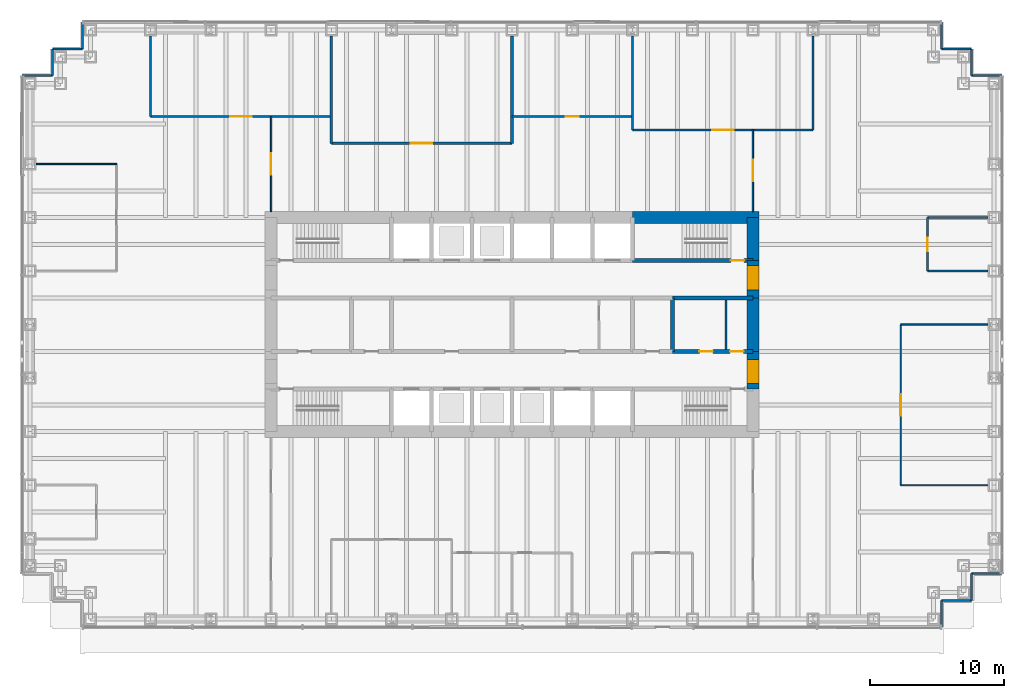
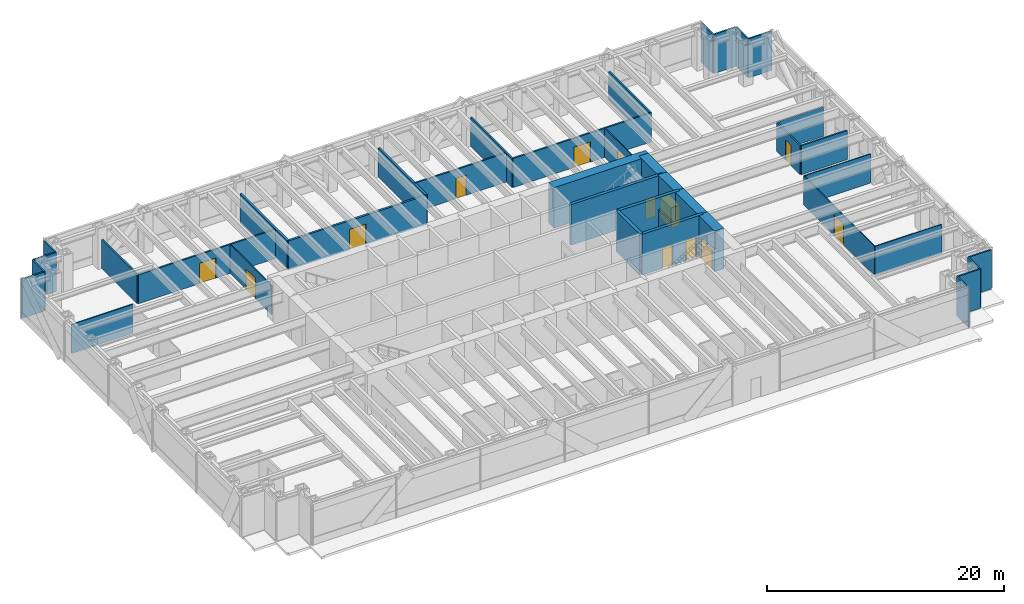
# One storey, part 11 of 14: 40 walls, 13 doors, 13 openings.
"""IFC4 building model written with IfcOpenShell, lengths in metres."""

from ifc_helpers import new_model, si_unit, direction, frame, frame_2d, origin, place, context, subcontext, project, spatial, rectangle, extrude, material, layer, layer_set, type_object, element, fill, save


model = new_model("IFC4")

# Units and contexts
model_context = context("Model", 3, precision=1e-05, world=origin(), true_north=direction((0.0, 1.0)))
body_context = subcontext(model_context, "Body", "Model", "MODEL_VIEW")
ifc_project = project(units=[si_unit("LENGTHUNIT", "METRE"), si_unit("AREAUNIT", "SQUARE_METRE"), si_unit("VOLUMEUNIT", "CUBIC_METRE"), si_unit("PLANEANGLEUNIT", "RADIAN"), si_unit("MASSUNIT", "GRAM", prefix="KILO")], contexts=[model_context])

# Site, building, storey
site_placement = place(None, origin())
site = spatial("IfcSite", under=ifc_project, at=site_placement, CompositionType="ELEMENT")
building_placement = place(site_placement, origin())
building = spatial("IfcBuilding", under=site, at=building_placement, Name="Rheinbord Bourse Tower", CompositionType="ELEMENT")
storey_placement = place(building_placement, frame((0.0, 0.0, 100.5)))
storey = spatial("IfcBuildingStorey", under=building, at=storey_placement, Name="L21", CompositionType="ELEMENT", Elevation=100.5)

# Wall, opening, door
ifc_material_1 = material(Name="Acoustic gypsum board partition", Category="gypsum board")
ifc_layer_1 = layer(ifc_material_1, 0.199951171875)
ifc_layer_set_1 = layer_set([ifc_layer_1], Name="ACOUSTIC PARTITION 200")
wall_type_1 = type_object("IfcWallType", Name="ACOUSTIC PARTITION 200", PredefinedType="PARTITIONING", material=ifc_layer_set_1)
wall_1_placement = place(storey_placement, frame((22.5, 37.550048828125, 0.0), z_axis=(0.0, 0.0, 1.0), x_axis=(1.0, 0.0, 0.0)))
wall_1 = element("IfcWall", 1, at=wall_1_placement, inside=storey, type_object=wall_type_1, Name="Partition L21-13", PredefinedType="PARTITIONING", context=body_context, shape_type="SweptSolid", body=[
    extrude(rectangle(XDim=13.5, YDim=0.199951171875, at=frame_2d((6.75, 0.0))), origin(), (0.0, 0.0, 1.0), 3.0),
])
opening_1_placement = place(wall_1_placement, frame((5.949951171875, 0.0, 0.0)))
opening_1 = element("IfcOpeningElement", 2, at=opening_1_placement, cuts=wall_1, Name="Opening 21D09", PredefinedType="OPENING", context=body_context, shape_type="SweptSolid", body=[
    extrude(rectangle(XDim=1.60009765625, YDim=2.10009765625, at=frame_2d((0.800048828125, 1.050048828125))), frame((0.0, 0.10986328125, 0.0), z_axis=(0.0, -1.0, 0.0), x_axis=(1.0, 0.0, 0.0)), (0.0, 0.0, 1.0), 0.219970703125),
])
ifc_material_2 = material(Name="Timber door", Category="wood")
door_type_1 = type_object("IfcDoorType", Name="DOUBLE ROOM DOOR 1600", OperationType="DOUBLE_DOOR_DOUBLE_SWING", PredefinedType="DOOR", material=ifc_material_2)
door_1_placement = place(opening_1_placement, origin())
door_1 = element("IfcDoor", 3, at=door_1_placement, inside=storey, type_object=door_type_1, Name="Staff restaurant door L21", OperationType="SINGLE_SWING_LEFT", OverallHeight=2.10009765625, OverallWidth=1.60009765625, PredefinedType="DOOR", context=body_context, shape_type="SweptSolid", body=[
    extrude(rectangle(XDim=1.60009765625, YDim=2.10009765625, at=frame_2d((0.800048828125, 1.050048828125))), frame((0.0, 0.02490234375, 0.0), z_axis=(0.0, -1.0, 0.0), x_axis=(1.0, 0.0, 0.0)), (0.0, 0.0, 1.0), 0.050048828125),
])
fill(opening_1, door_1)

# Walls
for number, where, z_axis, x_axis, name in (
    (4, (22.5, 37.550048828125, 0.0), (0.0, 0.0, 1.0), (0.0, 1.0, 0.0), "Partition L21-23"),
    (5, (36.0, 37.550048828125, 0.0), (0.0, 0.0, 1.0), (0.0, 1.0, 0.0), "Partition L21-26"),
):
    element("IfcWall", number, at=place(storey_placement, frame(where, z_axis=z_axis, x_axis=x_axis)), inside=storey, type_object=wall_type_1, Name=name, PredefinedType="PARTITIONING", context=body_context, shape_type="SweptSolid", body=[
        extrude(rectangle(XDim=8.0, YDim=0.199951171875, at=frame_2d((4.0, 0.0))), origin(), (0.0, 0.0, 1.0), 3.0),
    ])

# Wall, opening, door
ifc_material_3 = material(Name="Concrete C50/60", Category="concrete")
ifc_layer_2 = layer(ifc_material_3, 0.300048828125)
ifc_layer_set_2 = layer_set([ifc_layer_2], Name="CORE INNER WALL 300")
wall_type_2 = type_object("IfcWallType", Name="CORE INNER WALL 300", PredefinedType="SOLIDWALL", material=ifc_layer_set_2)
wall_2_placement = place(storey_placement, frame((45.0, 28.800048828125, 0.0), z_axis=(0.0, 0.0, 1.0), x_axis=(1.0, 0.0, 0.0)))
wall_2 = element("IfcWall", 6, at=wall_2_placement, inside=storey, type_object=wall_type_2, Name="Core wall B8 L21", PredefinedType="SOLIDWALL", context=body_context, shape_type="SweptSolid", body=[
    extrude(rectangle(XDim=9.0, YDim=0.300048828125, at=frame_2d((4.5, 0.0))), origin(), (0.0, 0.0, 1.0), 4.199951171875),
])
opening_2_placement = place(wall_2_placement, frame((7.35009765625, 0.0, 0.0)))
opening_2 = element("IfcOpeningElement", 7, at=opening_2_placement, cuts=wall_2, Name="Opening 2140", PredefinedType="OPENING", context=body_context, shape_type="SweptSolid", body=[
    extrude(rectangle(XDim=1.0, YDim=2.10009765625, at=frame_2d((0.5, 1.050048828125))), frame((0.0, 0.159912109375, 0.0), z_axis=(0.0, -1.0, 0.0), x_axis=(1.0, 0.0, 0.0)), (0.0, 0.0, 1.0), 0.320068359375),
])
ifc_material_4 = material(Name="Steel door", Category="steel")
door_type_2 = type_object("IfcDoorType", Name="DOOR 1000 EI30", OperationType="SINGLE_SWING_LEFT", PredefinedType="DOOR", material=ifc_material_4)
door_2_placement = place(opening_2_placement, origin())
door_2 = element("IfcDoor", 8, at=door_2_placement, inside=storey, type_object=door_type_2, Name="Stair door ST4 L21", OperationType="SINGLE_SWING_RIGHT", OverallHeight=2.10009765625, OverallWidth=1.0, PredefinedType="DOOR", context=body_context, shape_type="SweptSolid", body=[
    extrude(rectangle(XDim=1.0, YDim=2.10009765625, at=frame_2d((0.5, 1.050048828125))), frame((0.0, 0.02490234375, 0.0), z_axis=(0.0, -1.0, 0.0), x_axis=(1.0, 0.0, 0.0)), (0.0, 0.0, 1.0), 0.050048828125),
])
fill(opening_2, door_2)

# Wall, openings, doors
wall_3_placement = place(storey_placement, frame((48.0, 22.0, 0.0), z_axis=(0.0, 0.0, 1.0), x_axis=(1.0, 0.0, 0.0)))
wall_3 = element("IfcWall", 9, at=wall_3_placement, inside=storey, type_object=wall_type_2, Name="Core wall C6 L21", PredefinedType="SOLIDWALL", context=body_context, shape_type="SweptSolid", body=[
    extrude(rectangle(XDim=6.0, YDim=0.300048828125, at=frame_2d((3.0, 0.0))), origin(), (0.0, 0.0, 1.0), 4.199951171875),
])
opening_3_placement = place(wall_3_placement, frame((2.0, 0.0, 0.0)))
opening_3 = element("IfcOpeningElement", 10, at=opening_3_placement, cuts=wall_3, Name="Opening 21R6", PredefinedType="OPENING", context=body_context, shape_type="SweptSolid", body=[
    extrude(rectangle(XDim=1.0, YDim=2.10009765625, at=frame_2d((0.5, 1.050048828125))), frame((0.0, 0.159912109375, 0.0), z_axis=(0.0, -1.0, 0.0), x_axis=(1.0, 0.0, 0.0)), (0.0, 0.0, 1.0), 0.320068359375),
])
opening_4_placement = place(wall_3_placement, frame((4.300048828125, 0.0, 0.0)))
opening_4 = element("IfcOpeningElement", 11, at=opening_4_placement, cuts=wall_3, Name="Opening 21R10", PredefinedType="OPENING", context=body_context, shape_type="SweptSolid", body=[
    extrude(rectangle(XDim=1.0, YDim=2.10009765625, at=frame_2d((0.5, 1.050048828125))), frame((0.0, 0.159912109375, 0.0), z_axis=(0.0, -1.0, 0.0), x_axis=(1.0, 0.0, 0.0)), (0.0, 0.0, 1.0), 0.320068359375),
])
door_3_placement = place(opening_4_placement, origin())
door_3 = element("IfcDoor", 12, at=door_3_placement, inside=storey, type_object=door_type_2, Name="Cleaner's store door L21", OperationType="SINGLE_SWING_RIGHT", OverallHeight=2.10009765625, OverallWidth=1.0, PredefinedType="DOOR", context=body_context, shape_type="SweptSolid", body=[
    extrude(rectangle(XDim=1.0, YDim=2.10009765625, at=frame_2d((0.5, 1.050048828125))), frame((0.0, 0.02490234375, 0.0), z_axis=(0.0, -1.0, 0.0), x_axis=(1.0, 0.0, 0.0)), (0.0, 0.0, 1.0), 0.050048828125),
])
fill(opening_4, door_3)
ifc_material_5 = material(Name="Timber door", Category="wood")
door_type_3 = type_object("IfcDoorType", Name="DOOR 1000 WC", OperationType="SINGLE_SWING_LEFT", PredefinedType="DOOR", material=ifc_material_5)
door_4_placement = place(opening_3_placement, origin())
door_4 = element("IfcDoor", 13, at=door_4_placement, inside=storey, type_object=door_type_3, Name="WC women door L21", OperationType="SINGLE_SWING_LEFT", OverallHeight=2.10009765625, OverallWidth=1.0, PredefinedType="DOOR", context=body_context, shape_type="SweptSolid", body=[
    extrude(rectangle(XDim=1.0, YDim=2.10009765625, at=frame_2d((0.5, 1.050048828125))), frame((0.0, 0.02490234375, 0.0), z_axis=(0.0, -1.0, 0.0), x_axis=(1.0, 0.0, 0.0)), (0.0, 0.0, 1.0), 0.050048828125),
])
fill(opening_3, door_4)

# Walls
wall_4_placement = place(storey_placement, frame((48.0, 26.0, 0.0), z_axis=(0.0, 0.0, 1.0), x_axis=(1.0, 0.0, 0.0)))
element("IfcWall", 14, at=wall_4_placement, inside=storey, type_object=wall_type_2, Name="Core wall D6 L21", PredefinedType="SOLIDWALL", context=body_context, shape_type="SweptSolid", body=[
    extrude(rectangle(XDim=6.0, YDim=0.300048828125, at=frame_2d((3.0, 0.0))), origin(), (0.0, 0.0, 1.0), 4.199951171875),
])
wall_5_placement = place(storey_placement, frame((48.0, 22.0, 0.0), z_axis=(0.0, 0.0, 1.0), x_axis=(0.0, 1.0, 0.0)))
element("IfcWall", 15, at=wall_5_placement, inside=storey, type_object=wall_type_2, Name="Core wall MX48 L21", PredefinedType="SOLIDWALL", context=body_context, shape_type="SweptSolid", body=[
    extrude(rectangle(XDim=4.0, YDim=0.300048828125, at=frame_2d((2.0, 0.0))), origin(), (0.0, 0.0, 1.0), 4.199951171875),
])
ifc_material_6 = material(Name="Gypsum board fire partition", Category="gypsum board")
ifc_layer_3 = layer(ifc_material_6, 0.14990234375)
ifc_layer_set_3 = layer_set([ifc_layer_3], Name="CORE PARTITION 150 EI30")
wall_type_3 = type_object("IfcWallType", Name="CORE PARTITION 150 EI30", PredefinedType="PARTITIONING", material=ifc_layer_set_3)
wall_6_placement = place(storey_placement, frame((51.97509765625, 22.14990234375, 0.0), z_axis=(0.0, 0.0, 1.0), x_axis=(0.0, 1.0, 0.0)))
element("IfcWall", 16, at=wall_6_placement, inside=storey, type_object=wall_type_3, Name="Core partition L21-3", PredefinedType="PARTITIONING", context=body_context, shape_type="SweptSolid", body=[
    extrude(rectangle(XDim=3.7001953125, YDim=0.14990234375, at=frame_2d((1.85009765625, 0.0))), origin(), (0.0, 0.0, 1.0), 3.0),
])
ifc_material_7 = material(Name="Concrete C50/60", Category="concrete")
ifc_layer_4 = layer(ifc_material_7, 0.89990234375)
ifc_layer_set_4 = layer_set([ifc_layer_4], Name="CORE WALL 900")
wall_type_4 = type_object("IfcWallType", Name="CORE WALL 900", PredefinedType="SHEAR", material=ifc_layer_set_4)
wall_7_placement = place(storey_placement, frame((54.449951171875, 32.0, 0.0), z_axis=(0.0, 0.0, 1.0), x_axis=(-1.0, 0.0, 0.0)))
element("IfcWall", 17, at=wall_7_placement, inside=storey, type_object=wall_type_4, Name="Core wall N1 L21", PredefinedType="SHEAR", context=body_context, shape_type="SweptSolid", body=[
    extrude(rectangle(XDim=9.449951171875, YDim=0.89990234375, at=frame_2d((4.72509765625, 0.0))), origin(), (0.0, 0.0, 1.0), 4.199951171875),
])

# Wall, opening, door
wall_8_placement = place(storey_placement, frame((54.0, 19.199951171875, 0.0), z_axis=(0.0, 0.0, 1.0), x_axis=(0.0, 1.0, 0.0)))
wall_8 = element("IfcWall", 18, at=wall_8_placement, inside=storey, type_object=wall_type_4, Name="Core wall E2 L21", PredefinedType="SHEAR", context=body_context, shape_type="SweptSolid", body=[
    extrude(rectangle(XDim=2.800048828125, YDim=0.89990234375, at=frame_2d((1.39990234375, 0.0))), origin(), (0.0, 0.0, 1.0), 4.199951171875),
])
opening_5_placement = place(wall_8_placement, frame((0.39990234375, 0.0, 0.0)))
opening_5 = element("IfcOpeningElement", 19, at=opening_5_placement, cuts=wall_8, Name="Opening 21L3", PredefinedType="OPENING", context=body_context, shape_type="SweptSolid", body=[
    extrude(rectangle(XDim=1.800048828125, YDim=2.10009765625, at=frame_2d((0.89990234375, 1.050048828125))), frame((0.0, 0.4599609375, 0.0), z_axis=(0.0, -1.0, 0.0), x_axis=(1.0, 0.0, 0.0)), (0.0, 0.0, 1.0), 0.919921875),
])
ifc_material_8 = material(Name="Steel door", Category="steel")
door_type_4 = type_object("IfcDoorType", Name="DOOR 1800 EI30 DOUBLE", OperationType="DOUBLE_DOOR_DOUBLE_SWING", PredefinedType="DOOR", material=ifc_material_8)
door_5_placement = place(opening_5_placement, origin())
door_5 = element("IfcDoor", 20, at=door_5_placement, inside=storey, type_object=door_type_4, Name="Lobby door 3 L21", OperationType="SINGLE_SWING_LEFT", OverallHeight=2.10009765625, OverallWidth=1.800048828125, PredefinedType="DOOR", context=body_context, shape_type="SweptSolid", body=[
    extrude(rectangle(XDim=1.800048828125, YDim=2.10009765625, at=frame_2d((0.89990234375, 1.050048828125))), frame((0.0, 0.44970703125, 0.0), z_axis=(0.0, -1.0, 0.0), x_axis=(1.0, 0.0, 0.0)), (0.0, 0.0, 1.0), 0.8994140625),
])
fill(opening_5, door_5)

# Wall
wall_9_placement = place(storey_placement, frame((54.0, 22.0, 0.0), z_axis=(0.0, 0.0, 1.0), x_axis=(0.0, 1.0, 0.0)))
element("IfcWall", 21, at=wall_9_placement, inside=storey, type_object=wall_type_4, Name="Core wall E3 L21", PredefinedType="SHEAR", context=body_context, shape_type="SweptSolid", body=[
    extrude(rectangle(XDim=4.0, YDim=0.89990234375, at=frame_2d((2.0, 0.0))), origin(), (0.0, 0.0, 1.0), 4.199951171875),
])

# Wall, opening, door
wall_10_placement = place(storey_placement, frame((54.0, 26.0, 0.0), z_axis=(0.0, 0.0, 1.0), x_axis=(0.0, 1.0, 0.0)))
wall_10 = element("IfcWall", 22, at=wall_10_placement, inside=storey, type_object=wall_type_4, Name="Core wall E4 L21", PredefinedType="SHEAR", context=body_context, shape_type="SweptSolid", body=[
    extrude(rectangle(XDim=2.800048828125, YDim=0.89990234375, at=frame_2d((1.39990234375, 0.0))), origin(), (0.0, 0.0, 1.0), 4.199951171875),
])
opening_6_placement = place(wall_10_placement, frame((0.60009765625, 0.0, 0.0)))
opening_6 = element("IfcOpeningElement", 23, at=opening_6_placement, cuts=wall_10, Name="Opening 21L4", PredefinedType="OPENING", context=body_context, shape_type="SweptSolid", body=[
    extrude(rectangle(XDim=1.800048828125, YDim=2.10009765625, at=frame_2d((0.89990234375, 1.050048828125))), frame((0.0, 0.4599609375, 0.0), z_axis=(0.0, -1.0, 0.0), x_axis=(1.0, 0.0, 0.0)), (0.0, 0.0, 1.0), 0.919921875),
])
door_6_placement = place(opening_6_placement, origin())
door_6 = element("IfcDoor", 24, at=door_6_placement, inside=storey, type_object=door_type_4, Name="Lobby door 4 L21", OperationType="SINGLE_SWING_LEFT", OverallHeight=2.10009765625, OverallWidth=1.800048828125, PredefinedType="DOOR", context=body_context, shape_type="SweptSolid", body=[
    extrude(rectangle(XDim=1.800048828125, YDim=2.10009765625, at=frame_2d((0.89990234375, 1.050048828125))), frame((0.0, 0.44970703125, 0.0), z_axis=(0.0, -1.0, 0.0), x_axis=(1.0, 0.0, 0.0)), (0.0, 0.0, 1.0), 0.8994140625),
])
fill(opening_6, door_6)

# Walls
wall_11_placement = place(storey_placement, frame((54.0, 28.800048828125, 0.0), z_axis=(0.0, 0.0, 1.0), x_axis=(0.0, 1.0, 0.0)))
element("IfcWall", 25, at=wall_11_placement, inside=storey, type_object=wall_type_4, Name="Core wall E5 L21", PredefinedType="SHEAR", context=body_context, shape_type="SweptSolid", body=[
    extrude(rectangle(XDim=3.199951171875, YDim=0.89990234375, at=frame_2d((1.60009765625, 0.0))), origin(), (0.0, 0.0, 1.0), 4.199951171875),
])
ifc_material_9 = material(Name="Black metal rainscreen panel", Category="aluminium")
ifc_layer_5 = layer(ifc_material_9, 0.14990234375)
ifc_layer_set_5 = layer_set([ifc_layer_5], Name="CORNER PIER CLADDING 150")
wall_type_5 = type_object("IfcWallType", Name="CORNER PIER CLADDING 150", PredefinedType="ELEMENTEDWALL", material=ifc_layer_set_5)
wall_12_placement = place(storey_placement, frame((68.10009765625, 1.39990234375, 0.0), z_axis=(0.0, 0.0, 1.0), x_axis=(0.0, 1.0, 0.0)))
element("IfcWall", 26, at=wall_12_placement, inside=storey, type_object=wall_type_5, Name="Corner pier cladding L21 4", PredefinedType="ELEMENTEDWALL", context=body_context, shape_type="SweptSolid", body=[
    extrude(rectangle(XDim=2.0, YDim=0.14990234375, at=frame_2d((1.0, 0.0))), origin(), (0.0, 0.0, 1.0), 4.0400390625),
])
wall_13_placement = place(storey_placement, frame((68.10009765625, 3.39990234375, 0.0), z_axis=(0.0, 0.0, 1.0), x_axis=(1.0, 0.0, 0.0)))
element("IfcWall", 27, at=wall_13_placement, inside=storey, type_object=wall_type_5, Name="Corner pier cladding L21 5", PredefinedType="ELEMENTEDWALL", context=body_context, shape_type="SweptSolid", body=[
    extrude(rectangle(XDim=2.25, YDim=0.14990234375, at=frame_2d((1.125, 0.0))), origin(), (0.0, 0.0, 1.0), 4.0400390625),
])
wall_14_placement = place(storey_placement, frame((70.35009765625, 3.39990234375, 0.0), z_axis=(0.0, 0.0, 1.0), x_axis=(0.0, 1.0, 0.0)))
element("IfcWall", 28, at=wall_14_placement, inside=storey, type_object=wall_type_5, Name="Corner pier cladding L21 6", PredefinedType="ELEMENTEDWALL", context=body_context, shape_type="SweptSolid", body=[
    extrude(rectangle(XDim=2.0, YDim=0.14990234375, at=frame_2d((1.0, 0.0))), origin(), (0.0, 0.0, 1.0), 4.0400390625),
])
for number, where, z_axis, x_axis, name in (
    (29, (70.35009765625, 5.39990234375, 0.0), (0.0, 0.0, 1.0), (1.0, 0.0, 0.0), "Corner pier cladding L21 7"),
    (30, (72.60009765625, 42.60009765625, 0.0), (0.0, 0.0, 1.0), (-1.0, 0.0, 0.0), "Corner pier cladding L21 9"),
):
    element("IfcWall", number, at=place(storey_placement, frame(where, z_axis=z_axis, x_axis=x_axis)), inside=storey, type_object=wall_type_5, Name=name, PredefinedType="ELEMENTEDWALL", context=body_context, shape_type="SweptSolid", body=[
        extrude(rectangle(XDim=2.25, YDim=0.14990234375, at=frame_2d((1.125, 0.0))), origin(), (0.0, 0.0, 1.0), 4.0400390625),
    ])
wall_15_placement = place(storey_placement, frame((70.35009765625, 42.60009765625, 0.0), z_axis=(0.0, 0.0, 1.0), x_axis=(0.0, 1.0, 0.0)))
element("IfcWall", 31, at=wall_15_placement, inside=storey, type_object=wall_type_5, Name="Corner pier cladding L21 10", PredefinedType="ELEMENTEDWALL", context=body_context, shape_type="SweptSolid", body=[
    extrude(rectangle(XDim=2.0, YDim=0.14990234375, at=frame_2d((1.0, 0.0))), origin(), (0.0, 0.0, 1.0), 4.0400390625),
])
wall_16_placement = place(storey_placement, frame((70.35009765625, 44.60009765625, 0.0), z_axis=(0.0, 0.0, 1.0), x_axis=(-1.0, 0.0, 0.0)))
element("IfcWall", 32, at=wall_16_placement, inside=storey, type_object=wall_type_5, Name="Corner pier cladding L21 11", PredefinedType="ELEMENTEDWALL", context=body_context, shape_type="SweptSolid", body=[
    extrude(rectangle(XDim=2.25, YDim=0.14990234375, at=frame_2d((1.125, 0.0))), origin(), (0.0, 0.0, 1.0), 4.0400390625),
])
for number, where, z_axis, x_axis, name in (
    (33, (68.10009765625, 44.60009765625, 0.0), (0.0, 0.0, 1.0), (0.0, 1.0, 0.0), "Corner pier cladding L21 12"),
    (34, (3.89990234375, 46.60009765625, 0.0), (0.0, 0.0, 1.0), (0.0, -1.0, 0.0), "Corner pier cladding L21 14"),
):
    element("IfcWall", number, at=place(storey_placement, frame(where, z_axis=z_axis, x_axis=x_axis)), inside=storey, type_object=wall_type_5, Name=name, PredefinedType="ELEMENTEDWALL", context=body_context, shape_type="SweptSolid", body=[
        extrude(rectangle(XDim=2.0, YDim=0.14990234375, at=frame_2d((1.0, 0.0))), origin(), (0.0, 0.0, 1.0), 4.0400390625),
    ])
wall_17_placement = place(storey_placement, frame((3.89990234375, 44.60009765625, 0.0), z_axis=(0.0, 0.0, 1.0), x_axis=(-1.0, 0.0, 0.0)))
element("IfcWall", 35, at=wall_17_placement, inside=storey, type_object=wall_type_5, Name="Corner pier cladding L21 15", PredefinedType="ELEMENTEDWALL", context=body_context, shape_type="SweptSolid", body=[
    extrude(rectangle(XDim=2.25, YDim=0.14990234375, at=frame_2d((1.125, 0.0))), origin(), (0.0, 0.0, 1.0), 4.0400390625),
])
wall_18_placement = place(storey_placement, frame((1.64990234375, 44.60009765625, 0.0), z_axis=(0.0, 0.0, 1.0), x_axis=(0.0, -1.0, 0.0)))
element("IfcWall", 36, at=wall_18_placement, inside=storey, type_object=wall_type_5, Name="Corner pier cladding L21 16", PredefinedType="ELEMENTEDWALL", context=body_context, shape_type="SweptSolid", body=[
    extrude(rectangle(XDim=2.0, YDim=0.14990234375, at=frame_2d((1.0, 0.0))), origin(), (0.0, 0.0, 1.0), 4.0400390625),
])
wall_19_placement = place(storey_placement, frame((1.64990234375, 42.60009765625, 0.0), z_axis=(0.0, 0.0, 1.0), x_axis=(-1.0, 0.0, 0.0)))
element("IfcWall", 37, at=wall_19_placement, inside=storey, type_object=wall_type_5, Name="Corner pier cladding L21 17", PredefinedType="ELEMENTEDWALL", context=body_context, shape_type="SweptSolid", body=[
    extrude(rectangle(XDim=2.25, YDim=0.14990234375, at=frame_2d((1.125, 0.0))), origin(), (0.0, 0.0, 1.0), 4.0400390625),
])
ifc_material_10 = material(Name="Toughened laminated glass partition", Category="glass")
ifc_layer_6 = layer(ifc_material_10, 0.10009765625)
ifc_layer_set_6 = layer_set([ifc_layer_6], Name="GLAZED PARTITION 100")
wall_type_6 = type_object("IfcWallType", Name="GLAZED PARTITION 100", PredefinedType="PARTITIONING", material=ifc_layer_set_6)
for number, where, z_axis, x_axis, name in (
    (38, (65.050048828125, 12.0, 0.0), (0.0, 0.0, 1.0), (1.0, 0.0, 0.0), "Partition L21-07"),
    (39, (65.050048828125, 24.0, 0.0), (0.0, 0.0, 1.0), (1.0, 0.0, 0.0), "Partition L21-08"),
):
    element("IfcWall", number, at=place(storey_placement, frame(where, z_axis=z_axis, x_axis=x_axis)), inside=storey, type_object=wall_type_6, Name=name, PredefinedType="PARTITIONING", context=body_context, shape_type="SweptSolid", body=[
        extrude(rectangle(XDim=6.5, YDim=0.10009765625, at=frame_2d((3.25, 0.0))), origin(), (0.0, 0.0, 1.0), 3.0),
    ])
wall_20_placement = place(storey_placement, frame((0.449951171875, 36.0, 0.0), z_axis=(0.0, 0.0, 1.0), x_axis=(1.0, 0.0, 0.0)))
element("IfcWall", 40, at=wall_20_placement, inside=storey, type_object=wall_type_6, Name="Partition L21-12", PredefinedType="PARTITIONING", context=body_context, shape_type="SweptSolid", body=[
    extrude(rectangle(XDim=6.0, YDim=0.10009765625, at=frame_2d((3.0, 0.0))), origin(), (0.0, 0.0, 1.0), 3.0),
])

# Wall, opening, door
wall_21_placement = place(storey_placement, frame((18.0, 32.449951171875, 0.0), z_axis=(0.0, 0.0, 1.0), x_axis=(0.0, 1.0, 0.0)))
wall_21 = element("IfcWall", 41, at=wall_21_placement, inside=storey, type_object=wall_type_6, Name="Partition L21-21", PredefinedType="PARTITIONING", context=body_context, shape_type="SweptSolid", body=[
    extrude(rectangle(XDim=7.10009765625, YDim=0.10009765625, at=frame_2d((3.550048828125, 0.0))), origin(), (0.0, 0.0, 1.0), 3.0),
])
opening_7_placement = place(wall_21_placement, frame((2.75, 0.0, 0.0)))
opening_7 = element("IfcOpeningElement", 42, at=opening_7_placement, cuts=wall_21, Name="Opening 21D15", PredefinedType="OPENING", context=body_context, shape_type="SweptSolid", body=[
    extrude(rectangle(XDim=1.60009765625, YDim=2.10009765625, at=frame_2d((0.800048828125, 1.050048828125))), frame((0.0, 0.06005859375, 0.0), z_axis=(0.0, -1.0, 0.0), x_axis=(1.0, 0.0, 0.0)), (0.0, 0.0, 1.0), 0.1201171875),
])
door_7_placement = place(opening_7_placement, origin())
door_7 = element("IfcDoor", 43, at=door_7_placement, inside=storey, type_object=door_type_1, Name="Open area door L21", OperationType="SINGLE_SWING_LEFT", OverallHeight=2.10009765625, OverallWidth=1.60009765625, PredefinedType="DOOR", context=body_context, shape_type="SweptSolid", body=[
    extrude(rectangle(XDim=1.60009765625, YDim=2.10009765625, at=frame_2d((0.800048828125, 1.050048828125))), frame((0.0, 0.02490234375, 0.0), z_axis=(0.0, -1.0, 0.0), x_axis=(1.0, 0.0, 0.0)), (0.0, 0.0, 1.0), 0.050048828125),
])
fill(opening_7, door_7)

wall_22_placement = place(storey_placement, frame((54.0, 32.449951171875, 0.0), z_axis=(0.0, 0.0, 1.0), x_axis=(0.0, 1.0, 0.0)))
wall_22 = element("IfcWall", 44, at=wall_22_placement, inside=storey, type_object=wall_type_6, Name="Partition L21-32", PredefinedType="PARTITIONING", context=body_context, shape_type="SweptSolid", body=[
    extrude(rectangle(XDim=6.10009765625, YDim=0.10009765625, at=frame_2d((3.050048828125, 0.0))), origin(), (0.0, 0.0, 1.0), 3.0),
])
opening_8_placement = place(wall_22_placement, frame((2.25, 0.0, 0.0)))
opening_8 = element("IfcOpeningElement", 45, at=opening_8_placement, cuts=wall_22, Name="Opening 21D18", PredefinedType="OPENING", context=body_context, shape_type="SweptSolid", body=[
    extrude(rectangle(XDim=1.60009765625, YDim=2.10009765625, at=frame_2d((0.800048828125, 1.050048828125))), frame((0.0, 0.06005859375, 0.0), z_axis=(0.0, -1.0, 0.0), x_axis=(1.0, 0.0, 0.0)), (0.0, 0.0, 1.0), 0.1201171875),
])
door_8_placement = place(opening_8_placement, origin())
door_8 = element("IfcDoor", 46, at=door_8_placement, inside=storey, type_object=door_type_1, Name="Open area door L21", OperationType="SINGLE_SWING_LEFT", OverallHeight=2.10009765625, OverallWidth=1.60009765625, PredefinedType="DOOR", context=body_context, shape_type="SweptSolid", body=[
    extrude(rectangle(XDim=1.60009765625, YDim=2.10009765625, at=frame_2d((0.800048828125, 1.050048828125))), frame((0.0, 0.02490234375, 0.0), z_axis=(0.0, -1.0, 0.0), x_axis=(1.0, 0.0, 0.0)), (0.0, 0.0, 1.0), 0.050048828125),
])
fill(opening_8, door_8)

wall_23_placement = place(storey_placement, frame((65.050048828125, 12.0, 0.0), z_axis=(0.0, 0.0, 1.0), x_axis=(0.0, 1.0, 0.0)))
wall_23 = element("IfcWall", 47, at=wall_23_placement, inside=storey, type_object=wall_type_6, Name="Partition L21-34", PredefinedType="PARTITIONING", context=body_context, shape_type="SweptSolid", body=[
    extrude(rectangle(XDim=12.0, YDim=0.10009765625, at=frame_2d((6.0, 0.0))), origin(), (0.0, 0.0, 1.0), 3.0),
])
opening_9_placement = place(wall_23_placement, frame((5.199951171875, 0.0, 0.0)))
opening_9 = element("IfcOpeningElement", 48, at=opening_9_placement, cuts=wall_23, Name="Opening 21D06", PredefinedType="OPENING", context=body_context, shape_type="SweptSolid", body=[
    extrude(rectangle(XDim=1.60009765625, YDim=2.10009765625, at=frame_2d((0.800048828125, 1.050048828125))), frame((0.0, 0.06005859375, 0.0), z_axis=(0.0, -1.0, 0.0), x_axis=(1.0, 0.0, 0.0)), (0.0, 0.0, 1.0), 0.1201171875),
])
door_9_placement = place(opening_9_placement, origin())
door_9 = element("IfcDoor", 49, at=door_9_placement, inside=storey, type_object=door_type_1, Name="Library door L21", OperationType="SINGLE_SWING_LEFT", OverallHeight=2.10009765625, OverallWidth=1.60009765625, PredefinedType="DOOR", context=body_context, shape_type="SweptSolid", body=[
    extrude(rectangle(XDim=1.60009765625, YDim=2.10009765625, at=frame_2d((0.800048828125, 1.050048828125))), frame((0.0, 0.02490234375, 0.0), z_axis=(0.0, -1.0, 0.0), x_axis=(1.0, 0.0, 0.0)), (0.0, 0.0, 1.0), 0.050048828125),
])
fill(opening_9, door_9)

# Walls
ifc_material_11 = material(Name="Gypsum board partition", Category="gypsum board")
ifc_layer_7 = layer(ifc_material_11, 0.14990234375)
ifc_layer_set_7 = layer_set([ifc_layer_7], Name="PARTITION 150")
wall_type_7 = type_object("IfcWallType", Name="PARTITION 150", PredefinedType="PARTITIONING", material=ifc_layer_set_7)
for number, where, z_axis, x_axis, name in (
    (50, (67.050048828125, 28.0, 0.0), (0.0, 0.0, 1.0), (1.0, 0.0, 0.0), "Partition L21-10"),
    (51, (67.050048828125, 32.0, 0.0), (0.0, 0.0, 1.0), (1.0, 0.0, 0.0), "Partition L21-11"),
):
    element("IfcWall", number, at=place(storey_placement, frame(where, z_axis=z_axis, x_axis=x_axis)), inside=storey, type_object=wall_type_7, Name=name, PredefinedType="PARTITIONING", context=body_context, shape_type="SweptSolid", body=[
        extrude(rectangle(XDim=4.5, YDim=0.14990234375, at=frame_2d((2.25, 0.0))), origin(), (0.0, 0.0, 1.0), 3.0),
    ])

# Wall, opening, door
wall_24_placement = place(storey_placement, frame((45.0, 38.550048828125, 0.0), z_axis=(0.0, 0.0, 1.0), x_axis=(1.0, 0.0, 0.0)))
wall_24 = element("IfcWall", 52, at=wall_24_placement, inside=storey, type_object=wall_type_7, Name="Partition L21-14", PredefinedType="PARTITIONING", context=body_context, shape_type="SweptSolid", body=[
    extrude(rectangle(XDim=13.5, YDim=0.14990234375, at=frame_2d((6.75, 0.0))), origin(), (0.0, 0.0, 1.0), 3.0),
])
opening_10_placement = place(wall_24_placement, frame((5.949951171875, 0.0, 0.0)))
opening_10 = element("IfcOpeningElement", 53, at=opening_10_placement, cuts=wall_24, Name="Opening 21D10", PredefinedType="OPENING", context=body_context, shape_type="SweptSolid", body=[
    extrude(rectangle(XDim=1.60009765625, YDim=2.10009765625, at=frame_2d((0.800048828125, 1.050048828125))), frame((0.0, 0.0849609375, 0.0), z_axis=(0.0, -1.0, 0.0), x_axis=(1.0, 0.0, 0.0)), (0.0, 0.0, 1.0), 0.169921875),
])
door_10_placement = place(opening_10_placement, origin())
door_10 = element("IfcDoor", 54, at=door_10_placement, inside=storey, type_object=door_type_1, Name="Kitchen door L21", OperationType="SINGLE_SWING_LEFT", OverallHeight=2.10009765625, OverallWidth=1.60009765625, PredefinedType="DOOR", context=body_context, shape_type="SweptSolid", body=[
    extrude(rectangle(XDim=1.60009765625, YDim=2.10009765625, at=frame_2d((0.800048828125, 1.050048828125))), frame((0.0, 0.02490234375, 0.0), z_axis=(0.0, -1.0, 0.0), x_axis=(1.0, 0.0, 0.0)), (0.0, 0.0, 1.0), 0.050048828125),
])
fill(opening_10, door_10)

wall_25_placement = place(storey_placement, frame((9.0, 39.550048828125, 0.0), z_axis=(0.0, 0.0, 1.0), x_axis=(1.0, 0.0, 0.0)))
wall_25 = element("IfcWall", 55, at=wall_25_placement, inside=storey, type_object=wall_type_7, Name="Partition L21-15", PredefinedType="PARTITIONING", context=body_context, shape_type="SweptSolid", body=[
    extrude(rectangle(XDim=13.5, YDim=0.14990234375, at=frame_2d((6.75, 0.0))), origin(), (0.0, 0.0, 1.0), 3.0),
])
opening_11_placement = place(wall_25_placement, frame((5.949951171875, 0.0, 0.0)))
opening_11 = element("IfcOpeningElement", 56, at=opening_11_placement, cuts=wall_25, Name="Opening 21D11", PredefinedType="OPENING", context=body_context, shape_type="SweptSolid", body=[
    extrude(rectangle(XDim=1.60009765625, YDim=2.10009765625, at=frame_2d((0.800048828125, 1.050048828125))), frame((0.0, 0.0849609375, 0.0), z_axis=(0.0, -1.0, 0.0), x_axis=(1.0, 0.0, 0.0)), (0.0, 0.0, 1.0), 0.169921875),
])
door_11_placement = place(opening_11_placement, origin())
door_11 = element("IfcDoor", 57, at=door_11_placement, inside=storey, type_object=door_type_1, Name="Staff lounge door L21", OperationType="SINGLE_SWING_LEFT", OverallHeight=2.10009765625, OverallWidth=1.60009765625, PredefinedType="DOOR", context=body_context, shape_type="SweptSolid", body=[
    extrude(rectangle(XDim=1.60009765625, YDim=2.10009765625, at=frame_2d((0.800048828125, 1.050048828125))), frame((0.0, 0.02490234375, 0.0), z_axis=(0.0, -1.0, 0.0), x_axis=(1.0, 0.0, 0.0)), (0.0, 0.0, 1.0), 0.050048828125),
])
fill(opening_11, door_11)

wall_26_placement = place(storey_placement, frame((36.0, 39.550048828125, 0.0), z_axis=(0.0, 0.0, 1.0), x_axis=(1.0, 0.0, 0.0)))
wall_26 = element("IfcWall", 58, at=wall_26_placement, inside=storey, type_object=wall_type_7, Name="Partition L21-16", PredefinedType="PARTITIONING", context=body_context, shape_type="SweptSolid", body=[
    extrude(rectangle(XDim=9.0, YDim=0.14990234375, at=frame_2d((4.5, 0.0))), origin(), (0.0, 0.0, 1.0), 3.0),
])
opening_12_placement = place(wall_26_placement, frame((4.0, 0.0, 0.0)))
opening_12 = element("IfcOpeningElement", 59, at=opening_12_placement, cuts=wall_26, Name="Opening 21D12", PredefinedType="OPENING", context=body_context, shape_type="SweptSolid", body=[
    extrude(rectangle(XDim=1.0, YDim=2.10009765625, at=frame_2d((0.5, 1.050048828125))), frame((0.0, 0.0849609375, 0.0), z_axis=(0.0, -1.0, 0.0), x_axis=(1.0, 0.0, 0.0)), (0.0, 0.0, 1.0), 0.169921875),
])
ifc_material_12 = material(Name="Timber door", Category="wood")
door_type_5 = type_object("IfcDoorType", Name="ROOM DOOR 1000", OperationType="SINGLE_SWING_LEFT", PredefinedType="DOOR", material=ifc_material_12)
door_12_placement = place(opening_12_placement, origin())
door_12 = element("IfcDoor", 60, at=door_12_placement, inside=storey, type_object=door_type_5, Name="Servery door L21", OperationType="SINGLE_SWING_LEFT", OverallHeight=2.10009765625, OverallWidth=1.0, PredefinedType="DOOR", context=body_context, shape_type="SweptSolid", body=[
    extrude(rectangle(XDim=1.0, YDim=2.10009765625, at=frame_2d((0.5, 1.050048828125))), frame((0.0, 0.02490234375, 0.0), z_axis=(0.0, -1.0, 0.0), x_axis=(1.0, 0.0, 0.0)), (0.0, 0.0, 1.0), 0.050048828125),
])
fill(opening_12, door_12)

# Walls
wall_27_placement = place(storey_placement, frame((9.0, 39.550048828125, 0.0), z_axis=(0.0, 0.0, 1.0), x_axis=(0.0, 1.0, 0.0)))
element("IfcWall", 61, at=wall_27_placement, inside=storey, type_object=wall_type_7, Name="Partition L21-19", PredefinedType="PARTITIONING", context=body_context, shape_type="SweptSolid", body=[
    extrude(rectangle(XDim=6.0, YDim=0.14990234375, at=frame_2d((3.0, 0.0))), origin(), (0.0, 0.0, 1.0), 3.0),
])
for number, where, z_axis, x_axis, name in (
    (62, (45.0, 38.550048828125, 0.0), (0.0, 0.0, 1.0), (0.0, 1.0, 0.0), "Partition L21-29"),
    (63, (58.5, 38.550048828125, 0.0), (0.0, 0.0, 1.0), (0.0, 1.0, 0.0), "Partition L21-33"),
):
    element("IfcWall", number, at=place(storey_placement, frame(where, z_axis=z_axis, x_axis=x_axis)), inside=storey, type_object=wall_type_7, Name=name, PredefinedType="PARTITIONING", context=body_context, shape_type="SweptSolid", body=[
        extrude(rectangle(XDim=7.0, YDim=0.14990234375, at=frame_2d((3.5, 0.0))), origin(), (0.0, 0.0, 1.0), 3.0),
    ])

# Wall, opening, door
wall_28_placement = place(storey_placement, frame((67.050048828125, 28.0, 0.0), z_axis=(0.0, 0.0, 1.0), x_axis=(0.0, 1.0, 0.0)))
wall_28 = element("IfcWall", 64, at=wall_28_placement, inside=storey, type_object=wall_type_7, Name="Partition L21-35", PredefinedType="PARTITIONING", context=body_context, shape_type="SweptSolid", body=[
    extrude(rectangle(XDim=4.0, YDim=0.14990234375, at=frame_2d((2.0, 0.0))), origin(), (0.0, 0.0, 1.0), 3.0),
])
opening_13_placement = place(wall_28_placement, frame((1.5, 0.0, 0.0)))
opening_13 = element("IfcOpeningElement", 65, at=opening_13_placement, cuts=wall_28, Name="Opening 21D07", PredefinedType="OPENING", context=body_context, shape_type="SweptSolid", body=[
    extrude(rectangle(XDim=1.0, YDim=2.10009765625, at=frame_2d((0.5, 1.050048828125))), frame((0.0, 0.0849609375, 0.0), z_axis=(0.0, -1.0, 0.0), x_axis=(1.0, 0.0, 0.0)), (0.0, 0.0, 1.0), 0.169921875),
])
door_13_placement = place(opening_13_placement, origin())
door_13 = element("IfcDoor", 66, at=door_13_placement, inside=storey, type_object=door_type_5, Name="Concierge office door L21", OperationType="SINGLE_SWING_LEFT", OverallHeight=2.10009765625, OverallWidth=1.0, PredefinedType="DOOR", context=body_context, shape_type="SweptSolid", body=[
    extrude(rectangle(XDim=1.0, YDim=2.10009765625, at=frame_2d((0.5, 1.050048828125))), frame((0.0, 0.02490234375, 0.0), z_axis=(0.0, -1.0, 0.0), x_axis=(1.0, 0.0, 0.0)), (0.0, 0.0, 1.0), 0.050048828125),
])
fill(opening_13, door_13)

save(model, "model.ifc")
